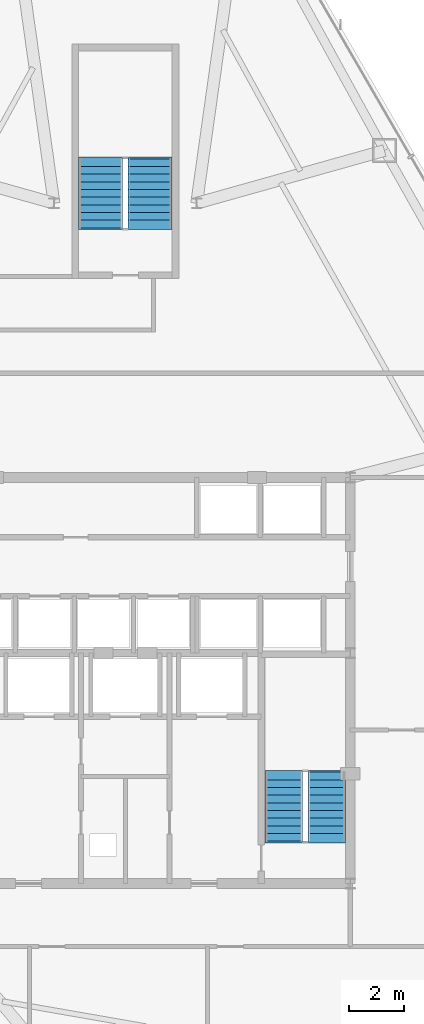
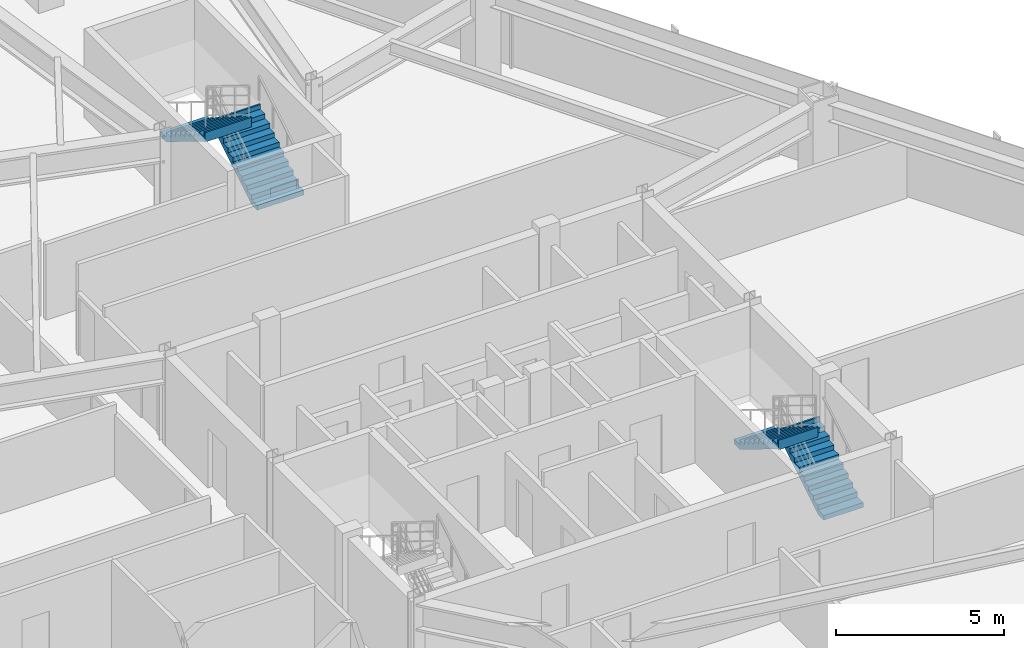
# One storey, part 12 of 13: 4 stair flights, 2 elements without a shape of their own.
"""IFC4 building model written with IfcOpenShell, lengths in metres."""

from ifc_helpers import new_model, si_unit, direction, frame, origin, place, context, subcontext, project, spatial, polyline, outline, extrude, material, type_object, element, aggregate, save


model = new_model("IFC4")

# Units and contexts
model_context = context("Model", 3, precision=1e-05, world=origin(), true_north=direction((0.0, 1.0)))
body_context = subcontext(model_context, "Body", "Model", "MODEL_VIEW")
ifc_project = project(units=[si_unit("LENGTHUNIT", "METRE"), si_unit("AREAUNIT", "SQUARE_METRE"), si_unit("VOLUMEUNIT", "CUBIC_METRE"), si_unit("PLANEANGLEUNIT", "RADIAN"), si_unit("MASSUNIT", "GRAM", prefix="KILO")], contexts=[model_context])

# Site, building, storey
site_placement = place(None, origin())
site = spatial("IfcSite", under=ifc_project, at=site_placement, CompositionType="ELEMENT")
building_placement = place(site_placement, origin())
building = spatial("IfcBuilding", under=site, at=building_placement, Name="Varakhsha Concourse Tower", CompositionType="ELEMENT")
storey_placement = place(building_placement, frame((0.0, 0.0, 126.35009765625)))
storey = spatial("IfcBuildingStorey", under=building, at=storey_placement, Name="L36", CompositionType="ELEMENT", Elevation=126.35009765625)

# Stair, stair flights
ifc_material = material(Name="Concrete fc 45 MPa", Category="concrete")
stair_type_1 = type_object("IfcStairType", Name="ST-DOGLEG-1360", PredefinedType="HALF_TURN_STAIR", material=ifc_material)
stair_1_placement = place(storey_placement, origin())
stair_1 = element("IfcStair", 1, at=stair_1_placement, inside=storey, type_object=stair_type_1, Name="L36 Protected Exit Stair ST2", PredefinedType="HALF_TURN_STAIR")
stair_flight_type_1 = type_object("IfcStairFlightType", Name="STF-1360-R1725", PredefinedType="STRAIGHT", material=ifc_material)
stair_flight_1_placement = place(storey_placement, frame((47.340087890625, 17.93994140625, 0.0), z_axis=(0.0, 0.0, 1.0), x_axis=(0.0, 1.0, 0.0)))
stair_flight_1 = element("IfcStairFlight", 2, at=stair_flight_1_placement, type_object=stair_flight_type_1, Name="ST2 flight 1", NumberOfRisers=10, NumberOfTreads=9, PredefinedType="STRAIGHT", RiserHeight=0.1725, TreadLength=0.28, context=body_context, shape_type="SweptSolid", body=[
    extrude(outline(polyline([(-0.06005859375, 0.0), (-0.06005859375, 0.172607421875), (0.0, 0.172607421875), (0.280029296875, 0.172607421875), (0.280029296875, 0.344970703125), (0.56005859375, 0.344970703125), (0.56005859375, 0.517578125), (0.840087890625, 0.517578125), (0.840087890625, 0.68994140625), (1.1201171875, 0.68994140625), (1.1201171875, 0.862548828125), (1.39990234375, 0.862548828125), (1.39990234375, 1.034912109375), (1.679931640625, 1.034912109375), (1.679931640625, 1.20751953125), (1.9599609375, 1.20751953125), (1.9599609375, 1.3798828125), (2.239990234375, 1.3798828125), (2.239990234375, 1.552490234375), (2.52001953125, 1.552490234375), (2.52001953125, 1.72509765625), (2.580078125, 1.72509765625), (2.580078125, 1.37646484375), (2.52001953125, 1.37646484375), (0.285888671875, 0.0), (-0.06005859375, 0.0)])), frame((0.0, 0.68017578125, 0.0), z_axis=(0.0, -1.0, 0.0), x_axis=(1.0, 0.0, 0.0)), (0.0, 0.0, 1.0), 1.360107421875),
])
stair_flight_2_placement = place(storey_placement, frame((45.780029296875, 20.4599609375, 1.724853515625), z_axis=(0.0, 0.0, 1.0), x_axis=(0.0, -1.0, 0.0)))
stair_flight_2 = element("IfcStairFlight", 3, at=stair_flight_2_placement, type_object=stair_flight_type_1, Name="ST2 flight 2", NumberOfRisers=10, NumberOfTreads=9, PredefinedType="STRAIGHT", RiserHeight=0.1725, TreadLength=0.28, context=body_context, shape_type="SweptSolid", body=[
    extrude(outline(polyline([(-0.06005859375, 0.0), (-0.06005859375, 0.172607421875), (0.0, 0.172607421875), (0.280029296875, 0.172607421875), (0.280029296875, 0.344970703125), (0.56005859375, 0.344970703125), (0.56005859375, 0.517578125), (0.840087890625, 0.517578125), (0.840087890625, 0.68994140625), (1.1201171875, 0.68994140625), (1.1201171875, 0.862548828125), (1.39990234375, 0.862548828125), (1.39990234375, 1.034912109375), (1.679931640625, 1.034912109375), (1.679931640625, 1.20751953125), (1.9599609375, 1.20751953125), (1.9599609375, 1.3798828125), (2.239990234375, 1.3798828125), (2.239990234375, 1.552490234375), (2.52001953125, 1.552490234375), (2.52001953125, 1.72509765625), (2.580078125, 1.72509765625), (2.580078125, 1.37646484375), (2.52001953125, 1.37646484375), (0.285888671875, 0.0), (-0.06005859375, 0.0)])), frame((0.0, 0.68017578125, 0.0), z_axis=(0.0, -1.0, 0.0), x_axis=(1.0, 0.0, 0.0)), (0.0, 0.0, 1.0), 1.360107421875),
])
aggregate(stair_1, [stair_flight_1, stair_flight_2])

stair_type_2 = type_object("IfcStairType", Name="ST-DOGLEG-1600", PredefinedType="HALF_TURN_STAIR", material=ifc_material)
stair_2_placement = place(storey_placement, origin())
stair_2 = element("IfcStair", 4, at=stair_2_placement, inside=storey, type_object=stair_type_2, Name="L36 Protected Exit Stair ST5", PredefinedType="HALF_TURN_STAIR")
stair_flight_type_2 = type_object("IfcStairFlightType", Name="STF-1600-R1725", PredefinedType="STRAIGHT", material=ifc_material)
stair_flight_3_placement = place(storey_placement, frame((40.89990234375, 40.300048828125, 0.0), z_axis=(0.0, 0.0, 1.0), x_axis=(0.0, 1.0, 0.0)))
stair_flight_3 = element("IfcStairFlight", 5, at=stair_flight_3_placement, type_object=stair_flight_type_2, Name="ST5 flight 1", NumberOfRisers=10, NumberOfTreads=9, PredefinedType="STRAIGHT", RiserHeight=0.1725, TreadLength=0.28, context=body_context, shape_type="SweptSolid", body=[
    extrude(outline(polyline([(-0.06005859375, 0.0), (-0.06005859375, 0.172607421875), (0.0, 0.172607421875), (0.280029296875, 0.172607421875), (0.280029296875, 0.344970703125), (0.56005859375, 0.344970703125), (0.56005859375, 0.517578125), (0.840087890625, 0.517578125), (0.840087890625, 0.68994140625), (1.1201171875, 0.68994140625), (1.1201171875, 0.862548828125), (1.39990234375, 0.862548828125), (1.39990234375, 1.034912109375), (1.679931640625, 1.034912109375), (1.679931640625, 1.20751953125), (1.9599609375, 1.20751953125), (1.9599609375, 1.3798828125), (2.239990234375, 1.3798828125), (2.239990234375, 1.552490234375), (2.52001953125, 1.552490234375), (2.52001953125, 1.72509765625), (2.580078125, 1.72509765625), (2.580078125, 1.37646484375), (2.52001953125, 1.37646484375), (0.285888671875, 0.0), (-0.06005859375, 0.0)])), frame((0.0, 0.800048828125, 0.0), z_axis=(0.0, -1.0, 0.0), x_axis=(1.0, 0.0, 0.0)), (0.0, 0.0, 1.0), 1.60009765625),
])
stair_flight_4_placement = place(storey_placement, frame((39.10009765625, 42.820068359375, 1.724853515625), z_axis=(0.0, 0.0, 1.0), x_axis=(0.0, -1.0, 0.0)))
stair_flight_4 = element("IfcStairFlight", 6, at=stair_flight_4_placement, type_object=stair_flight_type_2, Name="ST5 flight 2", NumberOfRisers=10, NumberOfTreads=9, PredefinedType="STRAIGHT", RiserHeight=0.1725, TreadLength=0.28, context=body_context, shape_type="SweptSolid", body=[
    extrude(outline(polyline([(-0.06005859375, 0.0), (-0.06005859375, 0.172607421875), (0.0, 0.172607421875), (0.280029296875, 0.172607421875), (0.280029296875, 0.344970703125), (0.56005859375, 0.344970703125), (0.56005859375, 0.517578125), (0.840087890625, 0.517578125), (0.840087890625, 0.68994140625), (1.1201171875, 0.68994140625), (1.1201171875, 0.862548828125), (1.39990234375, 0.862548828125), (1.39990234375, 1.034912109375), (1.679931640625, 1.034912109375), (1.679931640625, 1.20751953125), (1.9599609375, 1.20751953125), (1.9599609375, 1.3798828125), (2.239990234375, 1.3798828125), (2.239990234375, 1.552490234375), (2.52001953125, 1.552490234375), (2.52001953125, 1.72509765625), (2.580078125, 1.72509765625), (2.580078125, 1.37646484375), (2.52001953125, 1.37646484375), (0.285888671875, 0.0), (-0.06005859375, 0.0)])), frame((0.0, 0.800048828125, 0.0), z_axis=(0.0, -1.0, 0.0), x_axis=(1.0, 0.0, 0.0)), (0.0, 0.0, 1.0), 1.60009765625),
])
aggregate(stair_2, [stair_flight_3, stair_flight_4])

save(model, "model.ifc")
